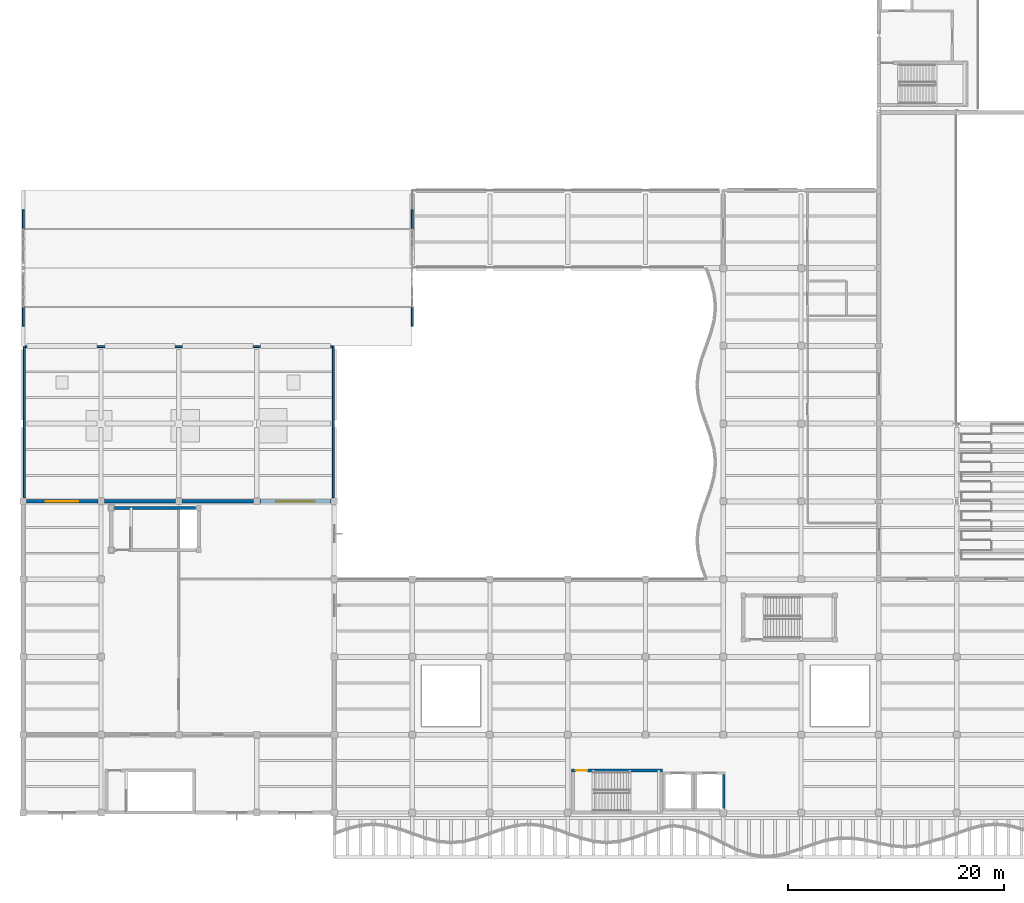
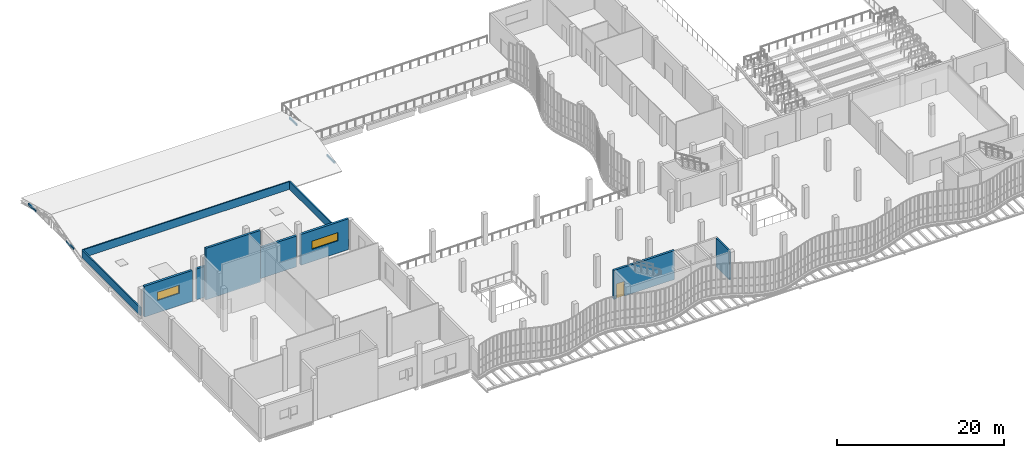
# One storey, part 89 of 105: 14 walls, 2 windows, 1 door, 3 openings.
"""IFC4 building model written with IfcOpenShell, lengths in metres."""

from ifc_helpers import new_model, si_unit, direction, frame, frame_2d, origin, place, context, subcontext, project, spatial, rectangle, extrude, material, layer, layer_set, type_object, element, fill, save


model = new_model("IFC4")

# Units and contexts
model_context = context("Model", 3, precision=1e-05, world=origin(), true_north=direction((0.0, 1.0)))
body_context = subcontext(model_context, "Body", "Model", "MODEL_VIEW")
ifc_project = project(units=[si_unit("LENGTHUNIT", "METRE"), si_unit("AREAUNIT", "SQUARE_METRE"), si_unit("VOLUMEUNIT", "CUBIC_METRE"), si_unit("PLANEANGLEUNIT", "RADIAN"), si_unit("MASSUNIT", "GRAM", prefix="KILO"), si_unit("THERMODYNAMICTEMPERATUREUNIT", "KELVIN"), si_unit("POWERUNIT", "WATT")], contexts=[model_context])

# Site, building, storey
site_placement = place(None, origin())
site = spatial("IfcSite", under=ifc_project, at=site_placement, CompositionType="ELEMENT")
building_placement = place(site_placement, origin())
building = spatial("IfcBuilding", under=site, at=building_placement, Name="Kaldorven Railside Theatre", CompositionType="ELEMENT")
storey_placement = place(building_placement, frame((0.0, 0.0, 9.89990234375)))
storey = spatial("IfcBuildingStorey", under=building, at=storey_placement, Name="L02", CompositionType="ELEMENT", Elevation=9.89990234375)

# Wall, opening, window
ifc_material_1 = material(Name="Architectural concrete C40/50", Category="concrete")
ifc_layer_1 = layer(ifc_material_1, 0.320068359375, Name="Architectural concrete C40/50")
ifc_layer_set_1 = layer_set([ifc_layer_1], Name="Architectural concrete C40/50")
wall_type_1 = type_object("IfcWallType", Name="WL-EW04", PredefinedType="SOLIDWALL", material=ifc_layer_set_1)
wall_1_placement = place(storey_placement, frame((8.300048828125, 48.0, 0.0), z_axis=(0.0, 0.0, 1.0), x_axis=(1.0, 0.0, 0.0)))
wall_1 = element("IfcWall", 1, at=wall_1_placement, inside=storey, type_object=wall_type_1, Name="V3 L02 Exterior Wall EW-0169", PredefinedType="SOLIDWALL", context=body_context, shape_type="SweptSolid", body=[
    extrude(rectangle(XDim=6.599853515625, YDim=0.320068359375, at=frame_2d((3.2998046875, 0.0))), origin(), (0.0, 0.0, 1.0), 4.5),
])
opening_1_placement = place(wall_1_placement, frame((1.800048828125, 0.0, 1.800048828125)))
opening_1 = element("IfcOpeningElement", 2, at=opening_1_placement, cuts=wall_1, Name="Opening WN-016", PredefinedType="OPENING", context=body_context, shape_type="SweptSolid", body=[
    extrude(rectangle(XDim=3.0, YDim=1.199951171875, at=frame_2d((1.5, 0.60009765625))), frame((0.0, 0.169921875, 0.0), z_axis=(0.0, -1.0, 0.0), x_axis=(1.0, 0.0, 0.0)), (0.0, 0.0, 1.0), 0.340087890625),
])
ifc_material_2 = material(Name="Low-E laminated solar-control glass", Category="glass")
window_type_1 = type_object("IfcWindowType", Name="WN-EW16", PartitioningType="SINGLE_PANEL", PredefinedType="WINDOW", material=ifc_material_2)
window_1_placement = place(opening_1_placement, origin())
window_1 = element("IfcWindow", 3, at=window_1_placement, inside=storey, type_object=window_type_1, Name="Shaded Acoustic Exterior Window WN-016", OverallHeight=1.199951171875, OverallWidth=3.0, PartitioningType="SINGLE_PANEL", PredefinedType="WINDOW", context=body_context, shape_type="SweptSolid", body=[
    extrude(rectangle(XDim=3.0, YDim=1.199951171875, at=frame_2d((1.5, 0.60009765625))), frame((0.0, 0.030029296875, 0.0), z_axis=(0.0, -1.0, 0.0), x_axis=(1.0, 0.0, 0.0)), (0.0, 0.0, 1.0), 0.06005859375),
])
fill(opening_1, window_1)

# Walls
for number, where, z_axis, x_axis, name in (
    (4, (15.5, 48.0, 0.0), (0.0, 0.0, 1.0), (1.0, 0.0, 0.0), "V3 L02 Exterior Wall EW-0170"),
    (5, (22.699951171875, 48.0, 0.0), (0.0, 0.0, 1.0), (1.0, 0.0, 0.0), "V3 L02 Exterior Wall EW-0171"),
):
    element("IfcWall", number, at=place(storey_placement, frame(where, z_axis=z_axis, x_axis=x_axis)), inside=storey, type_object=wall_type_1, Name=name, PredefinedType="SOLIDWALL", context=body_context, shape_type="SweptSolid", body=[
        extrude(rectangle(XDim=6.60009765625, YDim=0.320068359375, at=frame_2d((3.300048828125, 0.0))), origin(), (0.0, 0.0, 1.0), 4.5),
    ])

# Wall, opening, window
wall_2_placement = place(storey_placement, frame((29.89990234375, 48.0, 0.0), z_axis=(0.0, 0.0, 1.0), x_axis=(1.0, 0.0, 0.0)))
wall_2 = element("IfcWall", 6, at=wall_2_placement, inside=storey, type_object=wall_type_1, Name="V3 L02 Exterior Wall EW-0172", PredefinedType="SOLIDWALL", context=body_context, shape_type="SweptSolid", body=[
    extrude(rectangle(XDim=6.60009765625, YDim=0.320068359375, at=frame_2d((3.300048828125, 0.0))), origin(), (0.0, 0.0, 1.0), 4.5),
])
opening_2_placement = place(wall_2_placement, frame((1.5, 0.0, 1.800048828125)))
opening_2 = element("IfcOpeningElement", 7, at=opening_2_placement, cuts=wall_2, Name="Opening WN-017", PredefinedType="OPENING", context=body_context, shape_type="SweptSolid", body=[
    extrude(rectangle(XDim=3.60009765625, YDim=1.199951171875, at=frame_2d((1.800048828125, 0.60009765625))), frame((0.0, 0.169921875, 0.0), z_axis=(0.0, -1.0, 0.0), x_axis=(1.0, 0.0, 0.0)), (0.0, 0.0, 1.0), 0.340087890625),
])
window_type_2 = type_object("IfcWindowType", Name="WN-EW17", PartitioningType="SINGLE_PANEL", PredefinedType="WINDOW", material=ifc_material_2)
window_2_placement = place(opening_2_placement, origin())
window_2 = element("IfcWindow", 8, at=window_2_placement, inside=storey, type_object=window_type_2, Name="Shaded Acoustic Exterior Window WN-017", OverallHeight=1.199951171875, OverallWidth=3.60009765625, PartitioningType="SINGLE_PANEL", PredefinedType="WINDOW", context=body_context, shape_type="SweptSolid", body=[
    extrude(rectangle(XDim=3.60009765625, YDim=1.199951171875, at=frame_2d((1.800048828125, 0.60009765625))), frame((0.0, 0.030029296875, 0.0), z_axis=(0.0, -1.0, 0.0), x_axis=(1.0, 0.0, 0.0)), (0.0, 0.0, 1.0), 0.06005859375),
])
fill(opening_2, window_2)

# Walls
ifc_layer_2 = layer(ifc_material_1, 0.179931640625, Name="Architectural concrete C40/50")
ifc_layer_set_2 = layer_set([ifc_layer_2], Name="Architectural concrete C40/50")
wall_type_2 = type_object("IfcWallType", Name="WL-EW08", PredefinedType="PARAPET", material=ifc_layer_set_2)
for number, where, z_axis, x_axis, name in (
    (9, (8.0, 64.199951171875, 0.02001953125), (0.0, 0.0, 1.0), (0.0, 1.0, 0.0), "Black-Box West Gable Clerestory Eave Spandrel 139"),
    (10, (8.0, 73.199951171875, 0.02001953125), (0.0, 0.0, 1.0), (0.0, 1.0, 0.0), "Black-Box West Gable Clerestory Eave Spandrel 144"),
    (11, (44.0, 64.199951171875, 0.02001953125), (0.0, 0.0, 1.0), (0.0, 1.0, 0.0), "Black-Box East Gable Clerestory Eave Spandrel 145"),
    (12, (44.0, 73.199951171875, 0.02001953125), (0.0, 0.0, 1.0), (0.0, 1.0, 0.0), "Black-Box East Gable Clerestory Eave Spandrel 150"),
):
    element("IfcWall", number, at=place(storey_placement, frame(where, z_axis=z_axis, x_axis=x_axis)), inside=storey, type_object=wall_type_2, Name=name, PredefinedType="PARAPET", context=body_context, shape_type="SweptSolid", body=[
        extrude(rectangle(XDim=1.800048828125, YDim=0.179931640625, at=frame_2d((0.89990234375, 0.0))), origin(), (0.0, 0.0, 1.0), 0.2900390625),
    ])
for number, where, z_axis, x_axis, name in (
    (13, (8.090087890625, 48.35009765625, 0.0), (0.0, 0.0, 1.0), (0.0, 1.0, 0.0), "Roof Perimeter Parapet PRP-01"),
    (14, (36.7099609375, 62.31005859375, 0.0), (0.0, 0.0, 1.0), (0.0, -1.0, 0.0), "Roof Perimeter Parapet PRP-03"),
):
    element("IfcWall", number, at=place(storey_placement, frame(where, z_axis=z_axis, x_axis=x_axis)), inside=storey, type_object=wall_type_2, Name=name, PredefinedType="PARAPET", context=body_context, shape_type="SweptSolid", body=[
        extrude(rectangle(XDim=13.9599609375, YDim=0.179931640625, at=frame_2d((6.97998046875, 0.0))), origin(), (0.0, 0.0, 1.0), 1.150146484375),
    ])
ifc_layer_3 = layer(ifc_material_1, 0.159912109375, Name="Architectural concrete C40/50")
ifc_layer_set_3 = layer_set([ifc_layer_3], Name="Architectural concrete C40/50")
wall_type_3 = type_object("IfcWallType", Name="WL-EW09", PredefinedType="PARAPET", material=ifc_layer_set_3)
wall_3_placement = place(storey_placement, frame((8.090087890625, 62.31005859375, 0.0), z_axis=(0.0, 0.0, 1.0), x_axis=(1.0, 0.0, 0.0)))
element("IfcWall", 15, at=wall_3_placement, inside=storey, type_object=wall_type_3, Name="Roof Perimeter Parapet PRP-02", PredefinedType="PARAPET", context=body_context, shape_type="SweptSolid", body=[
    extrude(rectangle(XDim=28.619873046875, YDim=0.159912109375, at=frame_2d((14.31005859375, 0.0))), origin(), (0.0, 0.0, 1.0), 1.150146484375),
])
ifc_material_3 = material(Name="Concrete C40/50", Category="concrete")
ifc_layer_4 = layer(ifc_material_3, 0.300048828125, Name="Concrete C40/50")
ifc_layer_set_4 = layer_set([ifc_layer_4], Name="Concrete C40/50")
wall_type_4 = type_object("IfcWallType", Name="WL-IW-CORE", PredefinedType="SHEAR", material=ifc_layer_set_4)
wall_4_placement = place(storey_placement, frame((16.449951171875, 47.39990234375, 0.0), z_axis=(0.0, 0.0, 1.0), x_axis=(1.0, 0.0, 0.0)))
element("IfcWall", 16, at=wall_4_placement, inside=storey, type_object=wall_type_4, Name="L02 Core Wall CW-0027", PredefinedType="SHEAR", context=body_context, shape_type="SweptSolid", body=[
    extrude(rectangle(XDim=7.5, YDim=0.300048828125, at=frame_2d((3.75, 0.0))), origin(), (0.0, 0.0, 1.0), 7.532470703125),
])

# Wall, opening, door
wall_5_placement = place(storey_placement, frame((58.75, 23.10009765625, 0.0), z_axis=(0.0, 0.0, 1.0), x_axis=(1.0, 0.0, 0.0)))
wall_5 = element("IfcWall", 17, at=wall_5_placement, inside=storey, type_object=wall_type_4, Name="L02 Core Wall CW-0043", PredefinedType="SHEAR", context=body_context, shape_type="SweptSolid", body=[
    extrude(rectangle(XDim=8.39990234375, YDim=0.300048828125, at=frame_2d((4.199951171875, 0.0))), origin(), (0.0, 0.0, 1.0), 4.22021484375),
])
opening_3_placement = place(wall_5_placement, frame((0.3701171875, 0.0, 0.0)))
opening_3 = element("IfcOpeningElement", 18, at=opening_3_placement, cuts=wall_5, Name="Opening ID-0011", PredefinedType="OPENING", context=body_context, shape_type="SweptSolid", body=[
    extrude(rectangle(XDim=1.10009765625, YDim=2.14990234375, at=frame_2d((0.550048828125, 1.074951171875))), frame((0.0, 0.16015625, 0.0), z_axis=(0.0, -1.0, 0.0), x_axis=(1.0, 0.0, 0.0)), (0.0, 0.0, 1.0), 0.320068359375),
])
ifc_material_4 = material(Name="Acoustic hardwood timber", Category="wood")
door_type = type_object("IfcDoorType", Name="DR-ID-FD60", OperationType="NOTDEFINED", PredefinedType="DOOR", material=ifc_material_4)
door_placement = place(opening_3_placement, origin())
door = element("IfcDoor", 19, at=door_placement, inside=storey, type_object=door_type, Name="Stair ST-03 Fire Door", OperationType="SINGLE_SWING_LEFT", OverallHeight=2.14990234375, OverallWidth=1.10009765625, PredefinedType="DOOR", context=body_context, shape_type="SweptSolid", body=[
    extrude(rectangle(XDim=1.10009765625, YDim=2.14990234375, at=frame_2d((0.550048828125, 1.074951171875))), frame((0.0, 0.02490234375, 0.0), z_axis=(0.0, -1.0, 0.0), x_axis=(1.0, 0.0, 0.0)), (0.0, 0.0, 1.0), 0.050048828125),
])
fill(opening_3, door)

# Wall
ifc_layer_5 = layer(ifc_material_3, 0.239990234375, Name="Concrete C40/50")
ifc_layer_set_5 = layer_set([ifc_layer_5], Name="Concrete C40/50")
wall_type_5 = type_object("IfcWallType", Name="WL-IW-SHAFT", PredefinedType="SHEAR", material=ifc_layer_set_5)
wall_6_placement = place(storey_placement, frame((72.85009765625, 22.72802734375, 0.0), z_axis=(0.0, 0.0, 1.0), x_axis=(0.0, -1.0, 0.0)))
element("IfcWall", 20, at=wall_6_placement, inside=storey, type_object=wall_type_5, Name="L02 Interior Wall SW-0084", PredefinedType="SHEAR", context=body_context, shape_type="SweptSolid", body=[
    extrude(rectangle(XDim=3.157958984375, YDim=0.239990234375, at=frame_2d((1.5791015625, 0.0))), origin(), (0.0, 0.0, 1.0), 4.22021484375),
])

save(model, "model.ifc")
